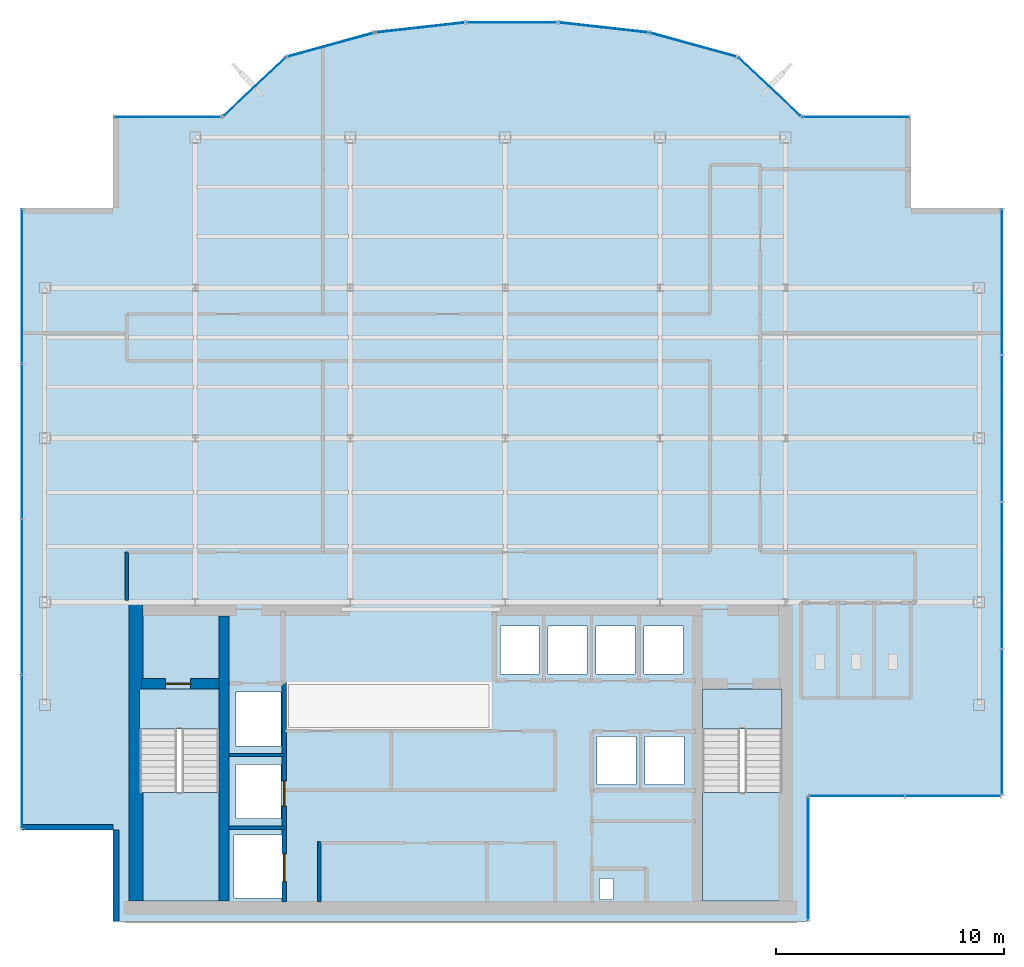
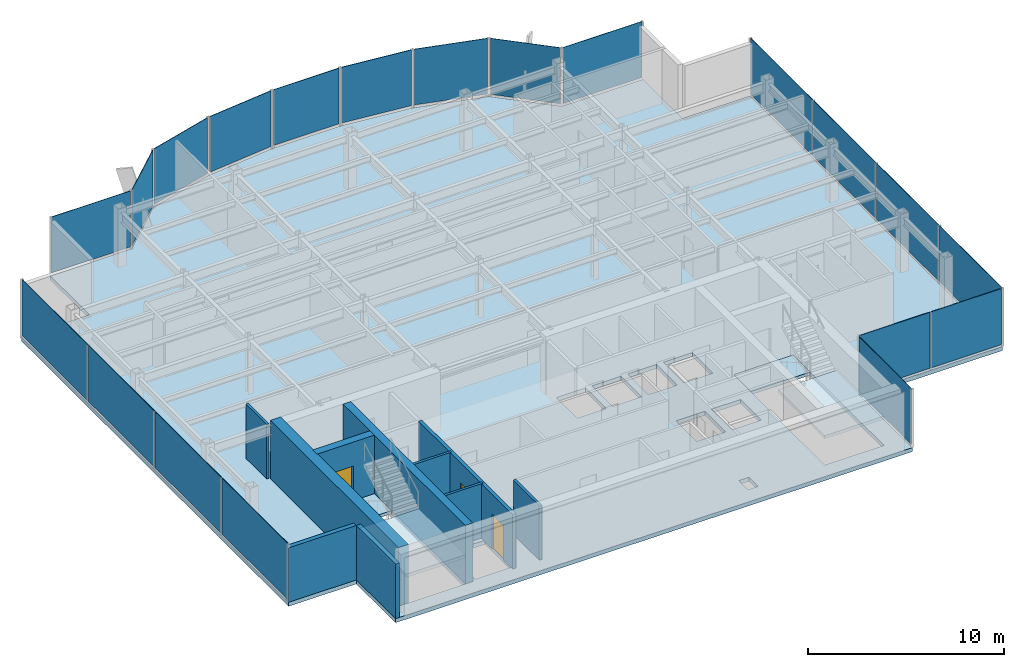
# One storey, part 16 of 22: 20 plates, 10 walls, 5 slabs, 3 doors, 3 openings, 15 elements without a shape of their own.
"""IFC4 building model written with IfcOpenShell, lengths in metres."""

from ifc_helpers import new_model, si_unit, derived_unit, direction, frame, frame_2d, origin, origin_2d, place, context, subcontext, project, spatial, polyline, rectangle, outline, extrude, source, transform, mapped, material, layer, layer_set, type_object, element, fill, aggregate, save


model = new_model("IFC4")

# Units and contexts
model_context = context("Model", 3, precision=1e-05, world=origin(), true_north=direction((0.0, 1.0)))
body_context = subcontext(model_context, "Body", "Model", "MODEL_VIEW")
ifc_project = project(units=[si_unit("LENGTHUNIT", "METRE"), si_unit("AREAUNIT", "SQUARE_METRE"), si_unit("VOLUMEUNIT", "CUBIC_METRE"), si_unit("PLANEANGLEUNIT", "RADIAN"), si_unit("MASSUNIT", "GRAM", prefix="KILO"), derived_unit("THERMALTRANSMITTANCEUNIT", [(si_unit("POWERUNIT", "WATT"), 1), (si_unit("LENGTHUNIT", "METRE"), -2), (si_unit("THERMODYNAMICTEMPERATUREUNIT", "KELVIN"), -1)])], contexts=[model_context])

# Site, building, storey
site_placement = place(None, origin())
site = spatial("IfcSite", under=ifc_project, at=site_placement, CompositionType="ELEMENT")
building_placement = place(site_placement, origin())
building = spatial("IfcBuilding", under=site, at=building_placement, Name="Skarnbrae Concourse Arena and Tower", CompositionType="ELEMENT")
storey_placement = place(building_placement, frame((0.0, 0.0, 199.550048828125)))
storey = spatial("IfcBuildingStorey", under=building, at=storey_placement, Name="L51", CompositionType="ELEMENT", Elevation=199.550048828125)

# Stair, slab
ifc_material_1 = material(Name="Concrete 40 MPa (C40/50)", Category="concrete")
stair_type = type_object("IfcStairType", Name="STAIR-DOGLEG-1650", PredefinedType="HALF_TURN_STAIR", material=ifc_material_1)
stair_1_placement = place(storey_placement, origin())
stair_1 = element("IfcStair", 1, at=stair_1_placement, inside=storey, type_object=stair_type, Name="L51 Protected Exit Stair ST-1", PredefinedType="HALF_TURN_STAIR")
ifc_layer_1 = layer(ifc_material_1, 0.199951171875)
ifc_layer_set_1 = layer_set([ifc_layer_1], Name="Concrete 40 MPa (C40/50)")
slab_type_1 = type_object("IfcSlabType", Name="SLAB-LANDING-200", PredefinedType="LANDING", material=ifc_layer_set_1)
slab_1_placement = place(storey_placement, frame((0.0, 0.0, 1.625)))
slab_1 = element("IfcSlab", 2, at=slab_1_placement, type_object=slab_type_1, Name="ST-1 landing 1", PredefinedType="LANDING", context=body_context, shape_type="SweptSolid", body=[
    extrude(outline(polyline([(5.14990234375, 5.64990234375), (5.14990234375, 0.89990234375), (8.64990234375, 0.89990234375), (8.64990234375, 5.64990234375), (5.14990234375, 5.64990234375)])), origin(), (0.0, 0.0, 1.0), 0.199951171875),
])
aggregate(stair_1, [slab_1])

stair_2_placement = place(storey_placement, origin())
stair_2 = element("IfcStair", 3, at=stair_2_placement, inside=storey, type_object=stair_type, Name="L51 Protected Exit Stair ST-2", PredefinedType="HALF_TURN_STAIR")
slab_2_placement = place(storey_placement, frame((0.0, 0.0, 1.625)))
slab_2 = element("IfcSlab", 4, at=slab_2_placement, type_object=slab_type_1, Name="ST-2 landing 1", PredefinedType="LANDING", context=body_context, shape_type="SweptSolid", body=[
    extrude(outline(polyline([(29.85009765625, 5.64990234375), (29.85009765625, 0.89990234375), (33.35009765625, 0.89990234375), (33.35009765625, 5.64990234375), (29.85009765625, 5.64990234375)])), origin(), (0.0, 0.0, 1.0), 0.199951171875),
])
aggregate(stair_2, [slab_2])

# Slabs
slab_3_placement = place(storey_placement, frame((0.0, 0.0, -0.199951171875)))
element("IfcSlab", 5, at=slab_3_placement, inside=storey, type_object=slab_type_1, Name="L51 Core stair ST1 floor landing", PredefinedType="LANDING", context=body_context, shape_type="SweptSolid", body=[
    extrude(outline(polyline([(5.14990234375, 10.199951171875), (5.14990234375, 8.449951171875), (8.64990234375, 8.449951171875), (8.64990234375, 10.199951171875), (5.14990234375, 10.199951171875)])), origin(), (0.0, 0.0, 1.0), 0.199951171875),
])
slab_4_placement = place(storey_placement, frame((0.0, 0.0, -0.199951171875)))
element("IfcSlab", 6, at=slab_4_placement, inside=storey, type_object=slab_type_1, Name="L51 Core stair ST2 floor landing", PredefinedType="LANDING", context=body_context, shape_type="SweptSolid", body=[
    extrude(outline(polyline([(29.85009765625, 10.199951171875), (29.85009765625, 8.449951171875), (33.35009765625, 8.449951171875), (33.35009765625, 10.199951171875), (29.85009765625, 10.199951171875)])), origin(), (0.0, 0.0, 1.0), 0.199951171875),
])
ifc_layer_2 = layer(ifc_material_1, 0.25)
ifc_layer_set_2 = layer_set([ifc_layer_2], Name="Concrete 40 MPa (C40/50)")
slab_type_2 = type_object("IfcSlabType", Name="SLAB-TOWER-250", PredefinedType="FLOOR", material=ifc_layer_set_2)
slab_5_placement = place(storey_placement, frame((0.0, 0.0, -0.25)))
element("IfcSlab", 7, at=slab_5_placement, inside=storey, type_object=slab_type_2, Name="L51 Structural floor slab", PredefinedType="FLOOR", context=body_context, shape_type="SweptSolid", body=[
    extrude(outline(polyline([(4.0, 0.0), (34.5, 0.0), (34.5, 5.5), (43.0, 5.5), (43.0, 31.300048828125), (39.0, 31.300048828125), (39.0, 35.300048828125), (34.199951171875, 35.300048828125), (31.40966796875, 37.9267578125), (27.52587890625, 38.9970703125), (23.51708984375, 39.44677734375), (19.48291015625, 39.44677734375), (15.47412109375, 38.9970703125), (11.59033203125, 37.9267578125), (8.800048828125, 35.300048828125), (4.0, 35.300048828125), (4.0, 31.300048828125), (0.0, 31.300048828125), (0.0, 4.0), (4.0, 4.0), (4.0, 0.0)]), holes=[polyline([(9.294921875, 1.02001953125), (9.294921875, 3.780029296875), (11.455078125, 3.780029296875), (11.455078125, 1.02001953125), (9.294921875, 1.02001953125)]), polyline([(8.64990234375, 10.199951171875), (8.64990234375, 0.89990234375), (5.14990234375, 0.89990234375), (5.14990234375, 10.199951171875), (8.64990234375, 10.199951171875)]), polyline([(9.39501953125, 6.8798828125), (11.35498046875, 6.8798828125), (11.35498046875, 4.52001953125), (9.39501953125, 4.52001953125), (9.39501953125, 6.8798828125)]), polyline([(9.39501953125, 7.695068359375), (9.39501953125, 10.054931640625), (11.35498046875, 10.054931640625), (11.35498046875, 7.695068359375), (9.39501953125, 7.695068359375)]), polyline([(20.985107421875, 12.955078125), (22.695068359375, 12.955078125), (22.695068359375, 10.844970703125), (20.985107421875, 10.844970703125), (20.985107421875, 12.955078125)]), polyline([(23.0849609375, 12.955078125), (24.794921875, 12.955078125), (24.794921875, 10.844970703125), (23.0849609375, 10.844970703125), (23.0849609375, 12.955078125)]), polyline([(25.35009765625, 0.949951171875), (25.35009765625, 1.889892578125), (25.9599609375, 1.889892578125), (25.9599609375, 0.949951171875), (25.35009765625, 0.949951171875)]), polyline([(33.35009765625, 10.199951171875), (33.35009765625, 0.89990234375), (29.85009765625, 0.89990234375), (29.85009765625, 10.199951171875), (33.35009765625, 10.199951171875)]), polyline([(25.235107421875, 8.10498046875), (26.945068359375, 8.10498046875), (26.945068359375, 5.9951171875), (25.235107421875, 5.9951171875), (25.235107421875, 8.10498046875)]), polyline([(27.3349609375, 5.9951171875), (27.3349609375, 8.10498046875), (29.044921875, 8.10498046875), (29.044921875, 5.9951171875), (27.3349609375, 5.9951171875)]), polyline([(25.18505859375, 12.955078125), (26.89501953125, 12.955078125), (26.89501953125, 10.844970703125), (25.18505859375, 10.844970703125), (25.18505859375, 12.955078125)]), polyline([(27.284912109375, 12.955078125), (28.9951171875, 12.955078125), (28.9951171875, 10.844970703125), (27.284912109375, 10.844970703125), (27.284912109375, 12.955078125)])]), origin(), (0.0, 0.0, 1.0), 0.25),
])

# Curtain wall, plate
ifc_material_2 = material(Name="Bronze anodised aluminium 6063-T6", Category="aluminium")
curtain_wall_type_1 = type_object("IfcCurtainWallType", Name="CW-SYS-05-HIGHZONE", PredefinedType="USERDEFINED", material=ifc_material_2)
curtain_wall_1_placement = place(storey_placement, origin())
curtain_wall_1 = element("IfcCurtainWall", 8, at=curtain_wall_1_placement, inside=storey, type_object=curtain_wall_type_1, Name="L51 Unitised curtain wall CW-L51-E02", ObjectType="UNITISED CURTAIN WALL", PredefinedType="USERDEFINED")
ifc_material_3 = material(Name="Low-E triple insulating glass", Category="glass")
ifc_layer_3 = layer(ifc_material_3, 0.030029296875)
ifc_layer_set_3 = layer_set([ifc_layer_3], Name="Low-E triple insulating glass")
plate_type_1 = type_object("IfcPlateType", Name="CWP-CW-05", PredefinedType="CURTAIN_PANEL", material=ifc_layer_set_3)
shared_shape_1 = source(origin(), body_context, "Body", "SweptSolid", [
    extrude(rectangle(XDim=5.35009765625, YDim=0.030029296875, at=origin_2d()), origin(), (0.0, 0.0, 1.0), 3.5),
])
plate_1_placement = place(storey_placement, frame((34.5, 2.75, 0.14990234375), z_axis=(0.0, 0.0, 1.0), x_axis=(0.0, 1.0, 0.0)))
plate_1 = element("IfcPlate", 9, at=plate_1_placement, type_object=plate_type_1, Name="CW-L51-E02 Low-E Glazing Panel 1", PredefinedType="CURTAIN_PANEL", context=body_context, shape_type="MappedRepresentation", body=[
    mapped(shared_shape_1, transform((0.0, 0.0, 0.0))),
])
aggregate(curtain_wall_1, [plate_1])

# Curtain wall, plates
curtain_wall_2_placement = place(storey_placement, origin())
curtain_wall_2 = element("IfcCurtainWall", 10, at=curtain_wall_2_placement, inside=storey, type_object=curtain_wall_type_1, Name="L51 Unitised curtain wall CW-L51-E03", ObjectType="UNITISED CURTAIN WALL", PredefinedType="USERDEFINED")
shared_shape_2 = source(origin(), body_context, "Body", "SweptSolid", [
    extrude(rectangle(XDim=4.137451171875, YDim=0.030029296875, at=origin_2d()), origin(), (0.0, 0.0, 1.0), 3.5),
])
plate_2_placement = place(storey_placement, frame((36.643798828125, 5.5, 0.14990234375), z_axis=(0.0, 0.0, 1.0), x_axis=(1.0, 0.0, 0.0)))
plate_2 = element("IfcPlate", 11, at=plate_2_placement, type_object=plate_type_1, Name="CW-L51-E03 Low-E Glazing Panel 1", PredefinedType="CURTAIN_PANEL", context=body_context, shape_type="MappedRepresentation", body=[
    mapped(shared_shape_2, transform((0.0, 0.0, 0.0))),
])
plate_3_placement = place(storey_placement, frame((40.856201171875, 5.5, 0.14990234375), z_axis=(0.0, 0.0, 1.0), x_axis=(1.0, 0.0, 0.0)))
plate_3 = element("IfcPlate", 12, at=plate_3_placement, type_object=plate_type_1, Name="CW-L51-E03 Low-E Glazing Panel 2", PredefinedType="CURTAIN_PANEL", context=body_context, shape_type="MappedRepresentation", body=[
    mapped(shared_shape_2, transform((0.0, 0.0, 0.0))),
])
aggregate(curtain_wall_2, [plate_2, plate_3])

# Curtain wall, plate
curtain_wall_3_placement = place(storey_placement, origin())
curtain_wall_3 = element("IfcCurtainWall", 13, at=curtain_wall_3_placement, inside=storey, type_object=curtain_wall_type_1, Name="L51 Unitised curtain wall CW-L51-E07", ObjectType="UNITISED CURTAIN WALL", PredefinedType="USERDEFINED")
shared_shape_3 = source(origin(), body_context, "Body", "SweptSolid", [
    extrude(rectangle(XDim=4.64990234375, YDim=0.030029296875, at=origin_2d()), origin(), (0.0, 0.0, 1.0), 3.5),
])
plate_4_placement = place(storey_placement, frame((36.60009765625, 35.300048828125, 0.14990234375), z_axis=(0.0, 0.0, 1.0), x_axis=(-1.0, 0.0, 0.0)))
plate_4 = element("IfcPlate", 14, at=plate_4_placement, type_object=plate_type_1, Name="CW-L51-E07 Low-E Glazing Panel 1", PredefinedType="CURTAIN_PANEL", context=body_context, shape_type="MappedRepresentation", body=[
    mapped(shared_shape_3, transform((0.0, 0.0, 0.0))),
])
aggregate(curtain_wall_3, [plate_4])

curtain_wall_4_placement = place(storey_placement, origin())
curtain_wall_4 = element("IfcCurtainWall", 15, at=curtain_wall_4_placement, inside=storey, type_object=curtain_wall_type_1, Name="L51 Unitised curtain wall CW-L51-E15", ObjectType="UNITISED CURTAIN WALL", PredefinedType="USERDEFINED")
plate_5_placement = place(storey_placement, frame((6.39990234375, 35.300048828125, 0.14990234375), z_axis=(0.0, 0.0, 1.0), x_axis=(-1.0, 0.0, 0.0)))
plate_5 = element("IfcPlate", 16, at=plate_5_placement, type_object=plate_type_1, Name="CW-L51-E15 Low-E Glazing Panel 1", PredefinedType="CURTAIN_PANEL", context=body_context, shape_type="MappedRepresentation", body=[
    mapped(shared_shape_3, transform((0.0, 0.0, 0.0))),
])
aggregate(curtain_wall_4, [plate_5])

curtain_wall_5_placement = place(storey_placement, origin())
curtain_wall_5 = element("IfcCurtainWall", 17, at=curtain_wall_5_placement, inside=storey, type_object=curtain_wall_type_1, Name="L51 Unitised curtain wall CW-L51-E08", ObjectType="UNITISED CURTAIN WALL", PredefinedType="USERDEFINED")
shared_shape_4 = source(origin(), body_context, "Body", "SweptSolid", [
    extrude(rectangle(XDim=3.68212890625, YDim=0.030029296875, at=origin_2d()), origin(), (0.0, 0.0, 1.0), 3.5),
])
plate_6_placement = place(storey_placement, frame((32.804931640625, 36.61328125, 0.14990234375), z_axis=(0.0, 0.0, 1.0), x_axis=(-0.728130555214, 0.685438468838, 0.0)))
plate_6 = element("IfcPlate", 18, at=plate_6_placement, type_object=plate_type_1, Name="CW-L51-E08 Low-E Glazing Panel 1", PredefinedType="CURTAIN_PANEL", context=body_context, shape_type="MappedRepresentation", body=[
    mapped(shared_shape_4, transform((0.0, 0.0, 0.0))),
])
aggregate(curtain_wall_5, [plate_6])

curtain_wall_6_placement = place(storey_placement, origin())
curtain_wall_6 = element("IfcCurtainWall", 19, at=curtain_wall_6_placement, inside=storey, type_object=curtain_wall_type_1, Name="L51 Unitised curtain wall CW-L51-E14", ObjectType="UNITISED CURTAIN WALL", PredefinedType="USERDEFINED")
plate_7_placement = place(storey_placement, frame((10.195068359375, 36.61328125, 0.14990234375), z_axis=(0.0, 0.0, 1.0), x_axis=(-0.728130555214, -0.685438468838, 0.0)))
plate_7 = element("IfcPlate", 20, at=plate_7_placement, type_object=plate_type_1, Name="CW-L51-E14 Low-E Glazing Panel 1", PredefinedType="CURTAIN_PANEL", context=body_context, shape_type="MappedRepresentation", body=[
    mapped(shared_shape_4, transform((0.0, 0.0, 0.0))),
])
aggregate(curtain_wall_6, [plate_7])

# Curtain wall, plates
curtain_wall_7_placement = place(storey_placement, origin())
curtain_wall_7 = element("IfcCurtainWall", 21, at=curtain_wall_7_placement, inside=storey, type_object=curtain_wall_type_1, Name="L51 Unitised curtain wall CW-L51-E18", ObjectType="UNITISED CURTAIN WALL", PredefinedType="USERDEFINED")
shared_shape_5 = source(origin(), body_context, "Body", "SweptSolid", [
    extrude(rectangle(XDim=6.71240234375, YDim=0.030029296875, at=origin_2d()), origin(), (0.0, 0.0, 1.0), 3.5),
])
plate_8_placement = place(storey_placement, frame((0.0, 27.86865234375, 0.14990234375), z_axis=(0.0, 0.0, 1.0), x_axis=(0.0, -1.0, 0.0)))
plate_8 = element("IfcPlate", 22, at=plate_8_placement, type_object=plate_type_1, Name="CW-L51-E18 Low-E Glazing Panel 1", PredefinedType="CURTAIN_PANEL", context=body_context, shape_type="MappedRepresentation", body=[
    mapped(shared_shape_5, transform((0.0, 0.0, 0.0))),
])
plate_9_placement = place(storey_placement, frame((0.0, 7.431396484375, 0.14990234375), z_axis=(0.0, 0.0, 1.0), x_axis=(0.0, -1.0, 0.0)))
plate_9 = element("IfcPlate", 23, at=plate_9_placement, type_object=plate_type_1, Name="CW-L51-E18 Low-E Glazing Panel 4", PredefinedType="CURTAIN_PANEL", context=body_context, shape_type="MappedRepresentation", body=[
    mapped(shared_shape_5, transform((0.0, 0.0, 0.0))),
])
shared_shape_6 = source(origin(), body_context, "Body", "SweptSolid", [
    extrude(rectangle(XDim=6.75, YDim=0.030029296875, at=origin_2d()), origin(), (0.0, 0.0, 1.0), 3.5),
])
plate_10_placement = place(storey_placement, frame((0.0, 21.0625, 0.14990234375), z_axis=(0.0, 0.0, 1.0), x_axis=(0.0, -1.0, 0.0)))
plate_10 = element("IfcPlate", 24, at=plate_10_placement, type_object=plate_type_1, Name="CW-L51-E18 Low-E Glazing Panel 2", PredefinedType="CURTAIN_PANEL", context=body_context, shape_type="MappedRepresentation", body=[
    mapped(shared_shape_6, transform((0.0, 0.0, 0.0))),
])
plate_11_placement = place(storey_placement, frame((0.0, 14.237548828125, 0.14990234375), z_axis=(0.0, 0.0, 1.0), x_axis=(0.0, -1.0, 0.0)))
plate_11 = element("IfcPlate", 25, at=plate_11_placement, type_object=plate_type_1, Name="CW-L51-E18 Low-E Glazing Panel 3", PredefinedType="CURTAIN_PANEL", context=body_context, shape_type="MappedRepresentation", body=[
    mapped(shared_shape_6, transform((0.0, 0.0, 0.0))),
])
aggregate(curtain_wall_7, [plate_8, plate_10, plate_11, plate_9])

curtain_wall_8_placement = place(storey_placement, origin())
curtain_wall_8 = element("IfcCurtainWall", 26, at=curtain_wall_8_placement, inside=storey, type_object=curtain_wall_type_1, Name="L51 Unitised curtain wall CW-L51-E04", ObjectType="UNITISED CURTAIN WALL", PredefinedType="USERDEFINED")
shared_shape_7 = source(origin(), body_context, "Body", "SweptSolid", [
    extrude(rectangle(XDim=6.33740234375, YDim=0.030029296875, at=origin_2d()), origin(), (0.0, 0.0, 1.0), 3.5),
])
plate_12_placement = place(storey_placement, frame((43.0, 8.743896484375, 0.14990234375), z_axis=(0.0, 0.0, 1.0), x_axis=(0.0, 1.0, 0.0)))
plate_12 = element("IfcPlate", 27, at=plate_12_placement, type_object=plate_type_1, Name="CW-L51-E04 Low-E Glazing Panel 1", PredefinedType="CURTAIN_PANEL", context=body_context, shape_type="MappedRepresentation", body=[
    mapped(shared_shape_7, transform((0.0, 0.0, 0.0))),
])
plate_13_placement = place(storey_placement, frame((43.0, 28.05615234375, 0.14990234375), z_axis=(0.0, 0.0, 1.0), x_axis=(0.0, 1.0, 0.0)))
plate_13 = element("IfcPlate", 28, at=plate_13_placement, type_object=plate_type_1, Name="CW-L51-E04 Low-E Glazing Panel 4", PredefinedType="CURTAIN_PANEL", context=body_context, shape_type="MappedRepresentation", body=[
    mapped(shared_shape_7, transform((0.0, 0.0, 0.0))),
])
shared_shape_8 = source(origin(), body_context, "Body", "SweptSolid", [
    extrude(rectangle(XDim=6.375, YDim=0.030029296875, at=origin_2d()), origin(), (0.0, 0.0, 1.0), 3.5),
])
plate_14_placement = place(storey_placement, frame((43.0, 15.175048828125, 0.14990234375), z_axis=(0.0, 0.0, 1.0), x_axis=(0.0, 1.0, 0.0)))
plate_14 = element("IfcPlate", 29, at=plate_14_placement, type_object=plate_type_1, Name="CW-L51-E04 Low-E Glazing Panel 2", PredefinedType="CURTAIN_PANEL", context=body_context, shape_type="MappedRepresentation", body=[
    mapped(shared_shape_8, transform((0.0, 0.0, 0.0))),
])
plate_15_placement = place(storey_placement, frame((43.0, 21.625, 0.14990234375), z_axis=(0.0, 0.0, 1.0), x_axis=(0.0, 1.0, 0.0)))
plate_15 = element("IfcPlate", 30, at=plate_15_placement, type_object=plate_type_1, Name="CW-L51-E04 Low-E Glazing Panel 3", PredefinedType="CURTAIN_PANEL", context=body_context, shape_type="MappedRepresentation", body=[
    mapped(shared_shape_8, transform((0.0, 0.0, 0.0))),
])
aggregate(curtain_wall_8, [plate_12, plate_14, plate_15, plate_13])

# Curtain wall, plate
curtain_wall_type_2 = type_object("IfcCurtainWallType", Name="CW-SYS-03-PORTAL", PredefinedType="USERDEFINED", material=ifc_material_2)
curtain_wall_9_placement = place(storey_placement, origin())
curtain_wall_9 = element("IfcCurtainWall", 31, at=curtain_wall_9_placement, inside=storey, type_object=curtain_wall_type_2, Name="L51 Unitised curtain wall CW-L51-E09", ObjectType="UNITISED CURTAIN WALL", PredefinedType="USERDEFINED")
ifc_layer_4 = layer(ifc_material_3, 0.033935546875)
ifc_layer_set_4 = layer_set([ifc_layer_4], Name="Low-E triple insulating glass")
plate_type_2 = type_object("IfcPlateType", Name="CWP-CW-03", PredefinedType="CURTAIN_PANEL", material=ifc_layer_set_4)
shared_shape_9 = source(origin(), body_context, "Body", "SweptSolid", [
    extrude(rectangle(XDim=3.86865234375, YDim=0.033935546875, at=origin_2d()), origin(), (0.0, 0.0, 1.0), 3.47998046875),
])
plate_16_placement = place(storey_placement, frame((29.4677734375, 38.4619140625, 0.169921875), z_axis=(0.0, 0.0, 1.0), x_axis=(-0.964057388766, 0.265694093207, 0.0)))
plate_16 = element("IfcPlate", 32, at=plate_16_placement, type_object=plate_type_2, Name="CW-L51-E09 Low-E Glazing Panel 1", PredefinedType="CURTAIN_PANEL", context=body_context, shape_type="MappedRepresentation", body=[
    mapped(shared_shape_9, transform((0.0, 0.0, 0.0))),
])
aggregate(curtain_wall_9, [plate_16])

curtain_wall_10_placement = place(storey_placement, origin())
curtain_wall_10 = element("IfcCurtainWall", 33, at=curtain_wall_10_placement, inside=storey, type_object=curtain_wall_type_2, Name="L51 Unitised curtain wall CW-L51-E13", ObjectType="UNITISED CURTAIN WALL", PredefinedType="USERDEFINED")
plate_17_placement = place(storey_placement, frame((13.5322265625, 38.4619140625, 0.169921875), z_axis=(0.0, 0.0, 1.0), x_axis=(-0.964057388766, -0.265694093207, 0.0)))
plate_17 = element("IfcPlate", 34, at=plate_17_placement, type_object=plate_type_2, Name="CW-L51-E13 Low-E Glazing Panel 1", PredefinedType="CURTAIN_PANEL", context=body_context, shape_type="MappedRepresentation", body=[
    mapped(shared_shape_9, transform((0.0, 0.0, 0.0))),
])
aggregate(curtain_wall_10, [plate_17])

curtain_wall_11_placement = place(storey_placement, origin())
curtain_wall_11 = element("IfcCurtainWall", 35, at=curtain_wall_11_placement, inside=storey, type_object=curtain_wall_type_2, Name="L51 Unitised curtain wall CW-L51-E10", ObjectType="UNITISED CURTAIN WALL", PredefinedType="USERDEFINED")
shared_shape_10 = source(origin(), body_context, "Body", "SweptSolid", [
    extrude(rectangle(XDim=3.873779296875, YDim=0.033935546875, at=origin_2d()), origin(), (0.0, 0.0, 1.0), 3.47998046875),
])
plate_18_placement = place(storey_placement, frame((25.521484375, 39.221923828125, 0.169921875), z_axis=(0.0, 0.0, 1.0), x_axis=(-0.993768891873, 0.111460259941, 0.0)))
plate_18 = element("IfcPlate", 36, at=plate_18_placement, type_object=plate_type_2, Name="CW-L51-E10 Low-E Glazing Panel 1", PredefinedType="CURTAIN_PANEL", context=body_context, shape_type="MappedRepresentation", body=[
    mapped(shared_shape_10, transform((0.0, 0.0, 0.0))),
])
aggregate(curtain_wall_11, [plate_18])

curtain_wall_12_placement = place(storey_placement, origin())
curtain_wall_12 = element("IfcCurtainWall", 37, at=curtain_wall_12_placement, inside=storey, type_object=curtain_wall_type_2, Name="L51 Unitised curtain wall CW-L51-E12", ObjectType="UNITISED CURTAIN WALL", PredefinedType="USERDEFINED")
plate_19_placement = place(storey_placement, frame((17.478515625, 39.221923828125, 0.169921875), z_axis=(0.0, 0.0, 1.0), x_axis=(-0.993768891873, -0.111460259941, 0.0)))
plate_19 = element("IfcPlate", 38, at=plate_19_placement, type_object=plate_type_2, Name="CW-L51-E12 Low-E Glazing Panel 1", PredefinedType="CURTAIN_PANEL", context=body_context, shape_type="MappedRepresentation", body=[
    mapped(shared_shape_10, transform((0.0, 0.0, 0.0))),
])
aggregate(curtain_wall_12, [plate_19])

curtain_wall_13_placement = place(storey_placement, origin())
curtain_wall_13 = element("IfcCurtainWall", 39, at=curtain_wall_13_placement, inside=storey, type_object=curtain_wall_type_2, Name="L51 Unitised curtain wall CW-L51-E11", ObjectType="UNITISED CURTAIN WALL", PredefinedType="USERDEFINED")
shared_shape_11 = source(origin(), body_context, "Body", "SweptSolid", [
    extrude(rectangle(XDim=3.87451171875, YDim=0.033935546875, at=origin_2d()), origin(), (0.0, 0.0, 1.0), 3.47998046875),
])
plate_20_placement = place(storey_placement, frame((21.5, 39.44677734375, 0.169921875), z_axis=(0.0, 0.0, 1.0), x_axis=(-1.0, 0.0, 0.0)))
plate_20 = element("IfcPlate", 40, at=plate_20_placement, type_object=plate_type_2, Name="CW-L51-E11 Low-E Glazing Panel 1", PredefinedType="CURTAIN_PANEL", context=body_context, shape_type="MappedRepresentation", body=[
    mapped(shared_shape_11, transform((0.0, 0.0, 0.0))),
])
aggregate(curtain_wall_13, [plate_20])

# Wall, opening, door
ifc_material_4 = material(Name="Concrete 50 MPa (C50/60)", Category="concrete")
ifc_layer_5 = layer(ifc_material_4, 0.449951171875)
ifc_layer_set_5 = layer_set([ifc_layer_5], Name="Concrete 50 MPa (C50/60)")
wall_type_1 = type_object("IfcWallType", Name="WALL-CORE-450-C50", PredefinedType="SHEAR", material=ifc_layer_set_5)
shared_shape_12 = source(origin(), body_context, "Body", "SweptSolid", [
    extrude(rectangle(XDim=3.389892578125, YDim=0.449951171875, at=frame_2d((1.69482421875, 0.0))), origin(), (0.0, 0.0, 1.0), 3.64990234375),
])
wall_1_placement = place(storey_placement, frame((5.25, 10.419921875, 0.0), z_axis=(0.0, 0.0, 1.0), x_axis=(1.0, 0.0, 0.0)))
wall_1 = element("IfcWall", 41, at=wall_1_placement, inside=storey, type_object=wall_type_1, Name="L51 Rear core shear wall CW-ST1-N", PredefinedType="SHEAR", context=body_context, shape_type="MappedRepresentation", body=[
    mapped(shared_shape_12, transform((0.0, 0.0, 0.0))),
])
opening_1_placement = place(wall_1_placement, frame((1.050048828125, 0.0, 0.0)))
opening_1 = element("IfcOpeningElement", 42, at=opening_1_placement, cuts=wall_1, Name="Opening DT-03", PredefinedType="OPENING", context=body_context, shape_type="SweptSolid", body=[
    extrude(rectangle(XDim=1.10009765625, YDim=2.14990234375, at=frame_2d((0.550048828125, 1.074951171875))), frame((0.0, 0.23486328125, 0.0), z_axis=(0.0, -1.0, 0.0), x_axis=(1.0, 0.0, 0.0)), (0.0, 0.0, 1.0), 0.469970703125),
])
ifc_material_5 = material(Name="Steel CSA G40.21 350W", Category="steel")
door_type_1 = type_object("IfcDoorType", Name="DOOR-FIRE-1100-90M", OperationType="NOTDEFINED", PredefinedType="DOOR", material=ifc_material_5)
shared_shape_13 = source(origin(), body_context, "Body", "SweptSolid", [
    extrude(rectangle(XDim=1.10009765625, YDim=2.14990234375, at=frame_2d((0.550048828125, 1.074951171875))), frame((0.0, 0.02490234375, 0.0), z_axis=(0.0, -1.0, 0.0), x_axis=(1.0, 0.0, 0.0)), (0.0, 0.0, 1.0), 0.050048828125),
])
door_1_placement = place(opening_1_placement, frame((1.10009765625, 0.0, 0.0), z_axis=(0.0, 0.0, 1.0), x_axis=(-1.0, 0.0, 0.0)))
door_1 = element("IfcDoor", 43, at=door_1_placement, inside=storey, type_object=door_type_1, Name="D-1555 Stair ST-1 Door", OperationType="SINGLE_SWING_LEFT", OverallHeight=2.14990234375, OverallWidth=1.10009765625, PredefinedType="DOOR", context=body_context, shape_type="MappedRepresentation", body=[
    mapped(shared_shape_13, transform((0.0, 0.0, 0.0))),
])
fill(opening_1, door_1)

# Walls
ifc_layer_6 = layer(ifc_material_4, 0.60009765625)
ifc_layer_set_6 = layer_set([ifc_layer_6], Name="Concrete 50 MPa (C50/60)")
wall_type_2 = type_object("IfcWallType", Name="WALL-CORE-600-C50", PredefinedType="SHEAR", material=ifc_layer_set_6)
shared_shape_14 = source(origin(), body_context, "Body", "SweptSolid", [
    extrude(rectangle(XDim=13.10009765625, YDim=0.60009765625, at=frame_2d((6.550048828125, 0.0))), origin(), (0.0, 0.0, 1.0), 3.64990234375),
])
wall_2_placement = place(storey_placement, frame((5.0, 0.89990234375, 0.0), z_axis=(0.0, 0.0, 1.0), x_axis=(0.0, 1.0, 0.0)))
element("IfcWall", 44, at=wall_2_placement, inside=storey, type_object=wall_type_2, Name="L51 Rear core shear wall CW-W", PredefinedType="SHEAR", context=body_context, shape_type="MappedRepresentation", body=[
    mapped(shared_shape_14, transform((0.0, 0.0, 0.0))),
])
shared_shape_15 = source(origin(), body_context, "Body", "SweptSolid", [
    extrude(rectangle(XDim=12.5, YDim=0.449951171875, at=frame_2d((6.25, 0.0))), origin(), (0.0, 0.0, 1.0), 3.64990234375),
])
wall_3_placement = place(storey_placement, frame((8.864990234375, 0.89990234375, 0.0), z_axis=(0.0, 0.0, 1.0), x_axis=(0.0, 1.0, 0.0)))
element("IfcWall", 45, at=wall_3_placement, inside=storey, type_object=wall_type_1, Name="L51 Rear core shear wall CW-WEB-W", PredefinedType="SHEAR", context=body_context, shape_type="MappedRepresentation", body=[
    mapped(shared_shape_15, transform((0.0, 0.0, 0.0))),
])
ifc_material_6 = material(Name="Precast concrete 40 MPa (C40/50)", Category="concrete")
ifc_layer_7 = layer(ifc_material_6, 0.25)
ifc_layer_set_7 = layer_set([ifc_layer_7], Name="Precast concrete 40 MPa (C40/50)")
wall_type_3 = type_object("IfcWallType", Name="WALL-EXT-SPANDREL-250", PredefinedType="STANDARD", material=ifc_layer_set_7)
shared_shape_16 = source(origin(), body_context, "Body", "SweptSolid", [
    extrude(rectangle(XDim=4.0, YDim=0.25, at=frame_2d((2.0, 0.0))), origin(), (0.0, 0.0, 1.0), 3.39990234375),
])
for number, where, z_axis, x_axis, name in (
    (46, (0.0, 4.125, 0.0), (0.0, 0.0, 1.0), (1.0, 0.0, 0.0), "L51 Notched corner insulated return wall 19"),
    (47, (4.125, 4.0, 0.0), (0.0, 0.0, 1.0), (0.0, -1.0, 0.0), "L51 Notched corner insulated return wall 20"),
):
    element("IfcWall", number, at=place(storey_placement, frame(where, z_axis=z_axis, x_axis=x_axis)), inside=storey, type_object=wall_type_3, Name=name, PredefinedType="STANDARD", context=body_context, shape_type="MappedRepresentation", body=[
        mapped(shared_shape_16, transform((0.0, 0.0, 0.0))),
    ])

# Wall, openings, doors
ifc_material_7 = material(Name="Gypsum board on cold-formed steel studs", Category="steel")
ifc_layer_8 = layer(ifc_material_7, 0.199951171875)
ifc_layer_set_8 = layer_set([ifc_layer_8], Name="Gypsum board on cold-formed steel studs")
wall_type_4 = type_object("IfcWallType", Name="WALL-PART-200-2HR", PredefinedType="PARTITIONING", material=ifc_layer_set_8)
shared_shape_17 = source(origin(), body_context, "Body", "SweptSolid", [
    extrude(rectangle(XDim=9.599853515625, YDim=0.199951171875, at=frame_2d((4.7998046875, 0.0))), origin(), (0.0, 0.0, 1.0), 3.39990234375),
])
wall_4_placement = place(storey_placement, frame((11.5, 0.85009765625, 0.0), z_axis=(0.0, 0.0, 1.0), x_axis=(0.0, 1.0, 0.0)))
wall_4 = element("IfcWall", 48, at=wall_4_placement, inside=storey, type_object=wall_type_4, Name="L51 Interior partition wall W-L51-FL-E", PredefinedType="PARTITIONING", context=body_context, shape_type="MappedRepresentation", body=[
    mapped(shared_shape_17, transform((0.0, 0.0, 0.0))),
])
opening_2_placement = place(wall_4_placement, frame((4.199951171875, 0.0, 0.0)))
opening_2 = element("IfcOpeningElement", 49, at=opening_2_placement, cuts=wall_4, Name="Opening LD-01", PredefinedType="OPENING", context=body_context, shape_type="SweptSolid", body=[
    extrude(rectangle(XDim=1.10009765625, YDim=2.14990234375, at=frame_2d((0.550048828125, 1.074951171875))), frame((0.0, 0.10986328125, 0.0), z_axis=(0.0, -1.0, 0.0), x_axis=(1.0, 0.0, 0.0)), (0.0, 0.0, 1.0), 0.219970703125),
])
opening_3_placement = place(wall_4_placement, frame((0.89990234375, 0.0, 0.0)))
opening_3 = element("IfcOpeningElement", 50, at=opening_3_placement, cuts=wall_4, Name="Opening LD-02", PredefinedType="OPENING", context=body_context, shape_type="SweptSolid", body=[
    extrude(rectangle(XDim=1.199951171875, YDim=2.14990234375, at=frame_2d((0.60009765625, 1.074951171875))), frame((0.0, 0.10986328125, 0.0), z_axis=(0.0, -1.0, 0.0), x_axis=(1.0, 0.0, 0.0)), (0.0, 0.0, 1.0), 0.219970703125),
])
door_type_2 = type_object("IfcDoorType", Name="DOOR-LIFT-SLIDE-1100", OperationType="SLIDING_TO_LEFT", PredefinedType="DOOR", material=ifc_material_5)
door_2_placement = place(opening_2_placement, frame((1.10009765625, 0.0, 0.0), z_axis=(0.0, 0.0, 1.0), x_axis=(-1.0, 0.0, 0.0)))
door_2 = element("IfcDoor", 51, at=door_2_placement, inside=storey, type_object=door_type_2, Name="D-1560 Firefighting Lift Landing Door FL-02", OperationType="SLIDING_TO_LEFT", OverallHeight=2.14990234375, OverallWidth=1.10009765625, PredefinedType="DOOR", context=body_context, shape_type="MappedRepresentation", body=[
    mapped(shared_shape_13, transform((0.0, 0.0, 0.0))),
])
fill(opening_2, door_2)
door_type_3 = type_object("IfcDoorType", Name="DOOR-LIFT-SLIDE-1200", OperationType="SLIDING_TO_LEFT", PredefinedType="DOOR", material=ifc_material_5)
shared_shape_18 = source(origin(), body_context, "Body", "SweptSolid", [
    extrude(rectangle(XDim=1.199951171875, YDim=2.14990234375, at=frame_2d((0.60009765625, 1.074951171875))), frame((0.0, 0.02490234375, 0.0), z_axis=(0.0, -1.0, 0.0), x_axis=(1.0, 0.0, 0.0)), (0.0, 0.0, 1.0), 0.050048828125),
])
door_3_placement = place(opening_3_placement, frame((1.199951171875, 0.0, 0.0), z_axis=(0.0, 0.0, 1.0), x_axis=(-1.0, 0.0, 0.0)))
door_3 = element("IfcDoor", 52, at=door_3_placement, inside=storey, type_object=door_type_3, Name="D-1561 Service Lift Landing Door SV-01", OperationType="SLIDING_TO_LEFT", OverallHeight=2.14990234375, OverallWidth=1.199951171875, PredefinedType="DOOR", context=body_context, shape_type="MappedRepresentation", body=[
    mapped(shared_shape_18, transform((0.0, 0.0, 0.0))),
])
fill(opening_3, door_3)

# Walls
ifc_layer_9 = layer(ifc_material_7, 0.14990234375)
ifc_layer_set_9 = layer_set([ifc_layer_9], Name="Gypsum board on cold-formed steel studs")
wall_type_5 = type_object("IfcWallType", Name="WALL-PART-150", PredefinedType="PARTITIONING", material=ifc_layer_set_9)
shared_shape_19 = source(origin(), body_context, "Body", "SweptSolid", [
    extrude(rectangle(XDim=2.39990234375, YDim=0.14990234375, at=frame_2d((1.199951171875, 0.0))), origin(), (0.0, 0.0, 1.0), 3.39990234375),
])
for number, where, z_axis, x_axis, name in (
    (53, (9.10009765625, 4.10009765625, 0.0), (0.0, 0.0, 1.0), (1.0, 0.0, 0.0), "L51 Interior partition wall W-L51-FL-D1"),
    (54, (9.10009765625, 7.300048828125, 0.0), (0.0, 0.0, 1.0), (1.0, 0.0, 0.0), "L51 Interior partition wall W-L51-FL-D2"),
):
    element("IfcWall", number, at=place(storey_placement, frame(where, z_axis=z_axis, x_axis=x_axis)), inside=storey, type_object=wall_type_5, Name=name, PredefinedType="PARTITIONING", context=body_context, shape_type="MappedRepresentation", body=[
        mapped(shared_shape_19, transform((0.0, 0.0, 0.0))),
    ])
ifc_layer_10 = layer(ifc_material_7, 0.14990234375)
ifc_layer_set_10 = layer_set([ifc_layer_10], Name="Gypsum board on cold-formed steel studs")
wall_type_6 = type_object("IfcWallType", Name="WALL-PART-150-1HR", PredefinedType="PARTITIONING", material=ifc_layer_set_10)
shared_shape_20 = source(origin(), body_context, "Body", "SweptSolid", [
    extrude(rectangle(XDim=2.64990234375, YDim=0.14990234375, at=frame_2d((1.324951171875, 0.0))), origin(), (0.0, 0.0, 1.0), 3.39990234375),
])
wall_5_placement = place(storey_placement, frame((13.050048828125, 0.85009765625, 0.0), z_axis=(0.0, 0.0, 1.0), x_axis=(0.0, 1.0, 0.0)))
element("IfcWall", 55, at=wall_5_placement, inside=storey, type_object=wall_type_6, Name="L51 Interior partition wall W-L51-B1M-W", PredefinedType="PARTITIONING", context=body_context, shape_type="MappedRepresentation", body=[
    mapped(shared_shape_20, transform((0.0, 0.0, 0.0))),
])
shared_shape_21 = source(origin(), body_context, "Body", "SweptSolid", [
    extrude(rectangle(XDim=2.119873046875, YDim=0.14990234375, at=frame_2d((1.06005859375, 0.0))), origin(), (0.0, 0.0, 1.0), 3.39990234375),
])
wall_6_placement = place(storey_placement, frame((4.60009765625, 14.080078125, 0.0), z_axis=(0.0, 0.0, 1.0), x_axis=(0.0, 1.0, 0.0)))
element("IfcWall", 56, at=wall_6_placement, inside=storey, type_object=wall_type_6, Name="L51 Interior partition wall W-L51-COR-01", PredefinedType="PARTITIONING", context=body_context, shape_type="MappedRepresentation", body=[
    mapped(shared_shape_21, transform((0.0, 0.0, 0.0))),
])

save(model, "model.ifc")
